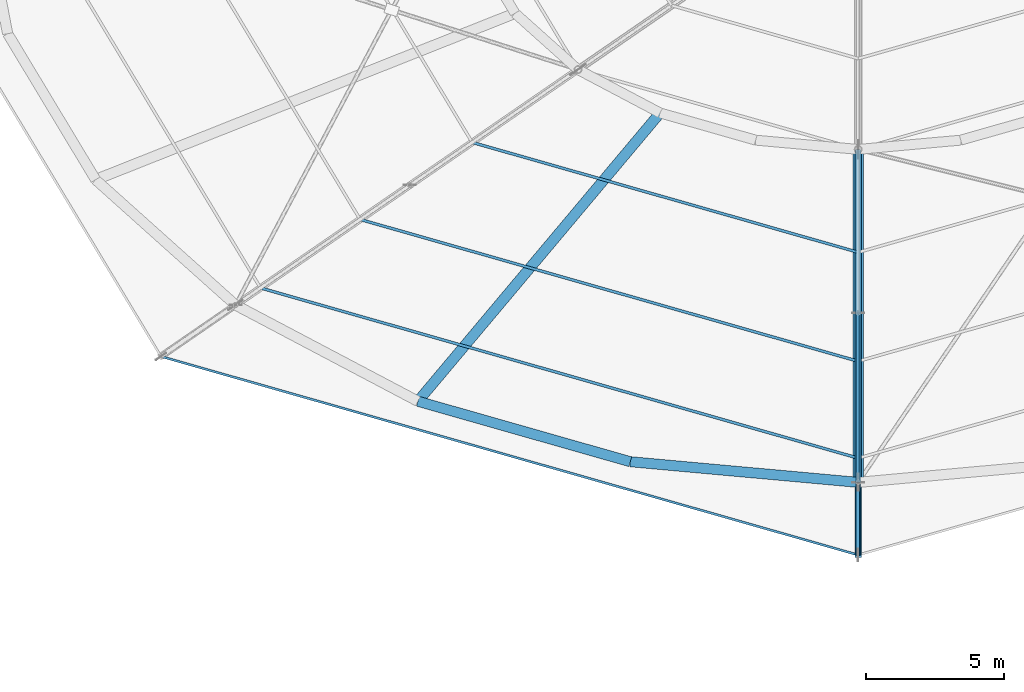
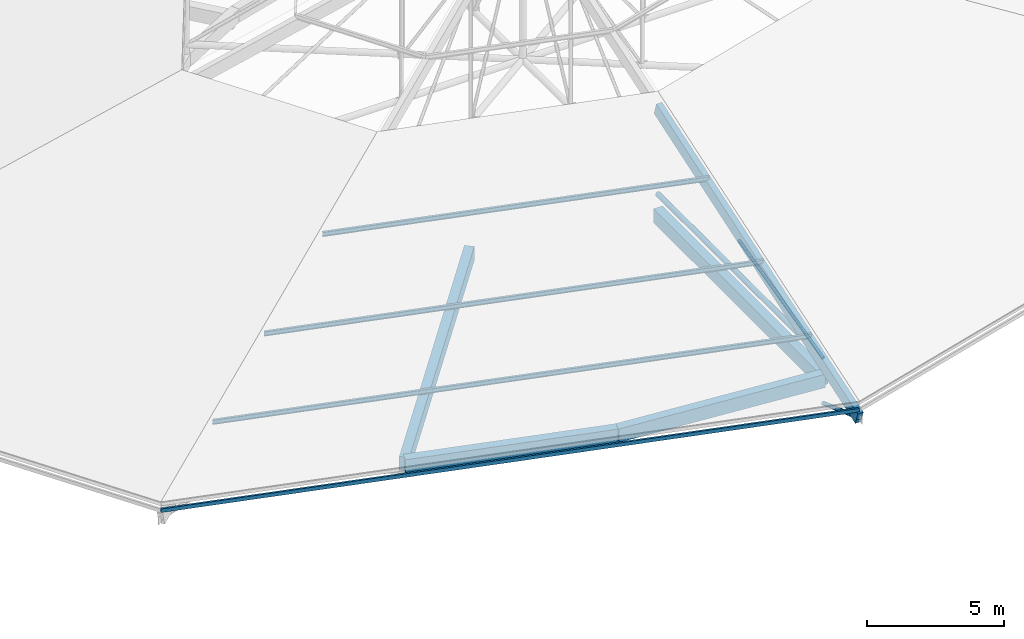
# One storey, part 19 of 66: 8 members, 4 beams.
"""IFC4 building model written with IfcOpenShell, lengths in metres."""

from ifc_helpers import new_model, si_unit, direction, frame, origin, origin_2d, place, context, subcontext, project, spatial, rectangle, hollow_rectangle, hollow_circle, i_section, extrude, material, material_profile, profile_set, type_object, element, save


model = new_model("IFC4")

# Units and contexts
model_context = context("Model", 3, precision=1e-05, world=origin(), true_north=direction((0.0, 1.0)))
body_context = subcontext(model_context, "Body", "Model", "MODEL_VIEW")
ifc_project = project(units=[si_unit("LENGTHUNIT", "METRE"), si_unit("AREAUNIT", "SQUARE_METRE"), si_unit("VOLUMEUNIT", "CUBIC_METRE"), si_unit("PLANEANGLEUNIT", "RADIAN"), si_unit("MASSUNIT", "GRAM", prefix="KILO")], contexts=[model_context])

# Site, building, storey
site_placement = place(None, origin())
site = spatial("IfcSite", under=ifc_project, at=site_placement, CompositionType="ELEMENT")
building_placement = place(site_placement, origin())
building = spatial("IfcBuilding", under=site, at=building_placement, Name="Zornivar Specialist Clinic", CompositionType="ELEMENT")
storey_placement = place(building_placement, frame((0.0, 0.0, 16.0)))
storey = spatial("IfcBuildingStorey", under=building, at=storey_placement, Name="L04", CompositionType="ELEMENT", Elevation=16.0)

# Beams
ifc_material_1 = material(Name="Concrete C30/37", Category="concrete")
ifc_material_profile_1 = material_profile(ifc_material_1, rectangle(XDim=0.3798828125, YDim=0.6201171875, at=origin_2d()), Name="RC 380x620")
ifc_profile_set_1 = profile_set([ifc_material_profile_1], Name="Concrete C30/37")
beam_type_1 = type_object("IfcBeamType", Name="BM-RC-CANT-380x620", PredefinedType="BEAM", material=ifc_profile_set_1)
beam_1_placement = place(storey_placement, frame((86.39990234375, 49.02587890625, -0.550048828125), z_axis=(-0.643091239308, -0.765789565041, 0.0), x_axis=(0.765789565041, -0.643091239308, 0.0)))
element("IfcBeam", 1, at=beam_1_placement, inside=storey, type_object=beam_type_1, Name="bm:V1:L04:radcant:16", PredefinedType="BEAM", context=body_context, shape_type="SweptSolid", body=[
    extrude(rectangle(XDim=0.3798828125, YDim=0.6201171875, at=origin_2d()), origin(), (0.0, 0.0, 1.0), 13.68359375),
])
beam_2_placement = place(storey_placement, frame((93.60009765625, 47.699951171875, -0.550048828125), z_axis=(0.0, -1.0, 0.0), x_axis=(1.0, 0.0, 0.0)))
element("IfcBeam", 2, at=beam_2_placement, inside=storey, type_object=beam_type_1, Name="bm:V1:L04:radcant:18", PredefinedType="BEAM", context=body_context, shape_type="SweptSolid", body=[
    extrude(rectangle(XDim=0.3798828125, YDim=0.6201171875, at=origin_2d()), origin(), (0.0, 0.0, 1.0), 12.099853515625),
])
ifc_material_2 = material(Name="Concrete C30/37", Category="concrete")
ifc_material_profile_2 = material_profile(ifc_material_2, rectangle(XDim=0.3701171875, YDim=0.60009765625, at=origin_2d()), Name="RC 370x600")
ifc_profile_set_2 = profile_set([ifc_material_profile_2], Name="Concrete C30/37")
beam_type_2 = type_object("IfcBeamType", Name="BM-RC-SPANDREL-370x600", PredefinedType="SPANDREL", material=ifc_profile_set_2)
beam_3_placement = place(storey_placement, frame((77.60009765625, 38.547119140625, -0.5400390625), z_axis=(0.961790992591, -0.273784744957, 0.0), x_axis=(0.273784744957, 0.961790992591, 0.0)))
element("IfcBeam", 3, at=beam_3_placement, inside=storey, type_object=beam_type_2, Name="bm:V1:L04:outring:16", PredefinedType="SPANDREL", context=body_context, shape_type="SweptSolid", body=[
    extrude(rectangle(XDim=0.3701171875, YDim=0.60009765625, at=origin_2d()), origin(), (0.0, 0.0, 1.0), 8.024658203125),
])
beam_4_placement = place(storey_placement, frame((85.318115234375, 36.35009765625, -0.5400390625), z_axis=(0.99592467027, -0.09018897465, 0.0), x_axis=(0.09018897465, 0.99592467027, 0.0)))
element("IfcBeam", 4, at=beam_4_placement, inside=storey, type_object=beam_type_2, Name="bm:V1:L04:outring:17", PredefinedType="SPANDREL", context=body_context, shape_type="SweptSolid", body=[
    extrude(rectangle(XDim=0.3701171875, YDim=0.60009765625, at=origin_2d()), origin(), (0.0, 0.0, 1.0), 8.31591796875),
])

# Members
ifc_material_3 = material(Name="Steel S355J2", Category="steel")
ifc_material_profile_3 = material_profile(ifc_material_3, hollow_circle(Radius=0.109619140625, WallThickness=0.012451171875, at=origin_2d()), Name="CHS 219.1x12.5")
ifc_profile_set_3 = profile_set([ifc_material_profile_3], Name="Steel S355J2")
member_type_1 = type_object("IfcMemberType", Name="MEM-CHORD-CHS219", PredefinedType="CHORD", material=ifc_profile_set_3)
member_1_placement = place(storey_placement, frame((93.60009765625, 35.60009765625, 0.360107421875), z_axis=(0.0, 1.0, 0.0), x_axis=(-1.0, 0.0, 0.0)))
element("IfcMember", 5, at=member_1_placement, inside=storey, type_object=member_type_1, Name="mem:V1:L04:rtie:6", PredefinedType="CHORD", context=body_context, shape_type="SweptSolid", body=[
    extrude(hollow_circle(Radius=0.109619140625, WallThickness=0.012451171875, at=origin_2d()), origin(), (0.0, 0.0, 1.0), 12.099853515625),
])
ifc_material_4 = material(Name="Steel S355J2", Category="steel")
ifc_material_profile_4 = material_profile(ifc_material_4, hollow_circle(Radius=0.06982421875, WallThickness=0.010009765625, at=origin_2d()), Name="CHS 139.7x10")
ifc_profile_set_4 = profile_set([ifc_material_profile_4], Name="Steel S355J2")
member_type_2 = type_object("IfcMemberType", Name="MEM-DIAG-CHS140H", PredefinedType="BRACE", material=ifc_profile_set_4)
member_2_placement = place(storey_placement, frame((93.60009765625, 35.60009765625, 0.360107421875), z_axis=(0.0, 0.970627075784, 0.240589026672), x_axis=(-1.0, 0.0, 0.0)))
element("IfcMember", 6, at=member_2_placement, inside=storey, type_object=member_type_2, Name="mem:V1:L04:diag1:6", PredefinedType="BRACE", context=body_context, shape_type="SweptSolid", body=[
    extrude(hollow_circle(Radius=0.06982421875, WallThickness=0.010009765625, at=origin_2d()), origin(), (0.0, 0.0, 1.0), 6.346435546875),
])
ifc_material_5 = material(Name="Steel S355J2", Category="steel")
ifc_material_profile_5 = material_profile(ifc_material_5, hollow_rectangle(XDim=0.080078125, YDim=0.159912109375, WallThickness=0.008056640625, at=origin_2d()), Name="RHS 160x80x8")
ifc_profile_set_5 = profile_set([ifc_material_profile_5], Name="Steel S355J2")
member_type_3 = type_object("IfcMemberType", Name="MEM-EAVE-RHS160", PredefinedType="USERDEFINED", material=ifc_profile_set_5)
member_3_placement = place(storey_placement, frame((68.258056640625, 40.177001953125, -0.3359375), z_axis=(0.961759598751, -0.273895005816, 0.0), x_axis=(0.273895005816, 0.961759598751, 0.0)))
element("IfcMember", 7, at=member_3_placement, inside=storey, type_object=member_type_3, Name="mem:V1:L04:purl:5:00", ObjectType="EAVE RAFTER", PredefinedType="USERDEFINED", context=body_context, shape_type="SweptSolid", body=[
    extrude(hollow_rectangle(XDim=0.080078125, YDim=0.159912109375, WallThickness=0.008056640625, at=origin_2d()), origin(), (0.0, 0.0, 1.0), 26.349609375),
])
ifc_material_6 = material(Name="Steel S355J2", Category="steel")
ifc_material_profile_6 = material_profile(ifc_material_6, i_section(OverallWidth=0.10009765625, OverallDepth=0.199951171875, WebThickness=0.005615234375, FlangeThickness=0.008544921875, FilletRadius=0.011962890625, at=origin_2d()), Name="IPE 200")
ifc_profile_set_6 = profile_set([ifc_material_profile_6], Name="Steel S355J2")
member_type_4 = type_object("IfcMemberType", Name="MEM-PURLIN-IPE200", PredefinedType="PURLIN", material=ifc_profile_set_6)
member_4_placement = place(storey_placement, frame((71.8779296875, 42.666015625, 0.8349609375), z_axis=(0.961760988869, -0.273890124485, 0.0), x_axis=(0.273890124485, 0.961760988869, 0.0)))
element("IfcMember", 8, at=member_4_placement, inside=storey, type_object=member_type_4, Name="mem:V1:L04:purl:5:01", PredefinedType="PURLIN", context=body_context, shape_type="SweptSolid", body=[
    extrude(i_section(OverallWidth=0.10009765625, OverallDepth=0.199951171875, WebThickness=0.005615234375, FlangeThickness=0.008544921875, FilletRadius=0.011962890625, at=origin_2d()), origin(), (0.0, 0.0, 1.0), 22.5859375),
])
member_5_placement = place(storey_placement, frame((75.498046875, 45.155029296875, 2.006103515625), z_axis=(0.961761961907, -0.273886707653, 0.0), x_axis=(0.273886707653, 0.961761961907, 0.0)))
element("IfcMember", 9, at=member_5_placement, inside=storey, type_object=member_type_4, Name="mem:V1:L04:purl:5:02", PredefinedType="PURLIN", context=body_context, shape_type="SweptSolid", body=[
    extrude(i_section(OverallWidth=0.10009765625, OverallDepth=0.199951171875, WebThickness=0.005615234375, FlangeThickness=0.008544921875, FilletRadius=0.011962890625, at=origin_2d()), origin(), (0.0, 0.0, 1.0), 18.82177734375),
])
member_6_placement = place(storey_placement, frame((79.571044921875, 47.955078125, 3.323974609375), z_axis=(0.961762324676, -0.273885433775, 0.0), x_axis=(0.273885433775, 0.961762324676, 0.0)))
element("IfcMember", 10, at=member_6_placement, inside=storey, type_object=member_type_4, Name="mem:V1:L04:purl:5:03", PredefinedType="PURLIN", context=body_context, shape_type="SweptSolid", body=[
    extrude(i_section(OverallWidth=0.10009765625, OverallDepth=0.199951171875, WebThickness=0.005615234375, FlangeThickness=0.008544921875, FilletRadius=0.011962890625, at=origin_2d()), origin(), (0.0, 0.0, 1.0), 14.5869140625),
])
ifc_material_7 = material(Name="Glulam GL28h", Category="wood")
ifc_material_profile_7 = material_profile(ifc_material_7, rectangle(XDim=0.239990234375, YDim=0.56005859375, at=origin_2d()), Name="GL28h 240x560")
ifc_profile_set_7 = profile_set([ifc_material_profile_7], Name="Glulam GL28h")
member_type_5 = type_object("IfcMemberType", Name="MEM-RAFTER-GL560", PredefinedType="RAFTER", material=ifc_profile_set_7)
member_7_placement = place(storey_placement, frame((93.60009765625, 32.9599609375, -0.700927734375), z_axis=(0.0, 0.948843477668, 0.315746820867), x_axis=(-1.0, 0.0, 0.0)))
element("IfcMember", 11, at=member_7_placement, inside=storey, type_object=member_type_5, Name="mem:V1:L04:raf1:6", PredefinedType="RAFTER", context=body_context, shape_type="SweptSolid", body=[
    extrude(rectangle(XDim=0.239990234375, YDim=0.56005859375, at=origin_2d()), origin(), (0.0, 0.0, 1.0), 15.53466796875),
])
ifc_material_8 = material(Name="Steel S355J2", Category="steel")
ifc_material_profile_8 = material_profile(ifc_material_8, hollow_circle(Radius=0.084228515625, WallThickness=0.010009765625, at=origin_2d()), Name="CHS 168.3x10")
ifc_profile_set_8 = profile_set([ifc_material_profile_8], Name="Steel S355J2")
member_type_6 = type_object("IfcMemberType", Name="MEM-STRUT-CHS168", PredefinedType="STRUT", material=ifc_profile_set_8)
member_8_placement = place(storey_placement, frame((93.60009765625, 35.60009765625, -1.64990234375), z_axis=(0.0, -0.941054807803, 0.338254118543), x_axis=(1.0, 0.0, 0.0)))
element("IfcMember", 12, at=member_8_placement, inside=storey, type_object=member_type_6, Name="mem:V1:L04:ebrace:6", PredefinedType="STRUT", context=body_context, shape_type="SweptSolid", body=[
    extrude(hollow_circle(Radius=0.084228515625, WallThickness=0.010009765625, at=origin_2d()), origin(), (0.0, 0.0, 1.0), 2.805419921875),
])

save(model, "model.ifc")
